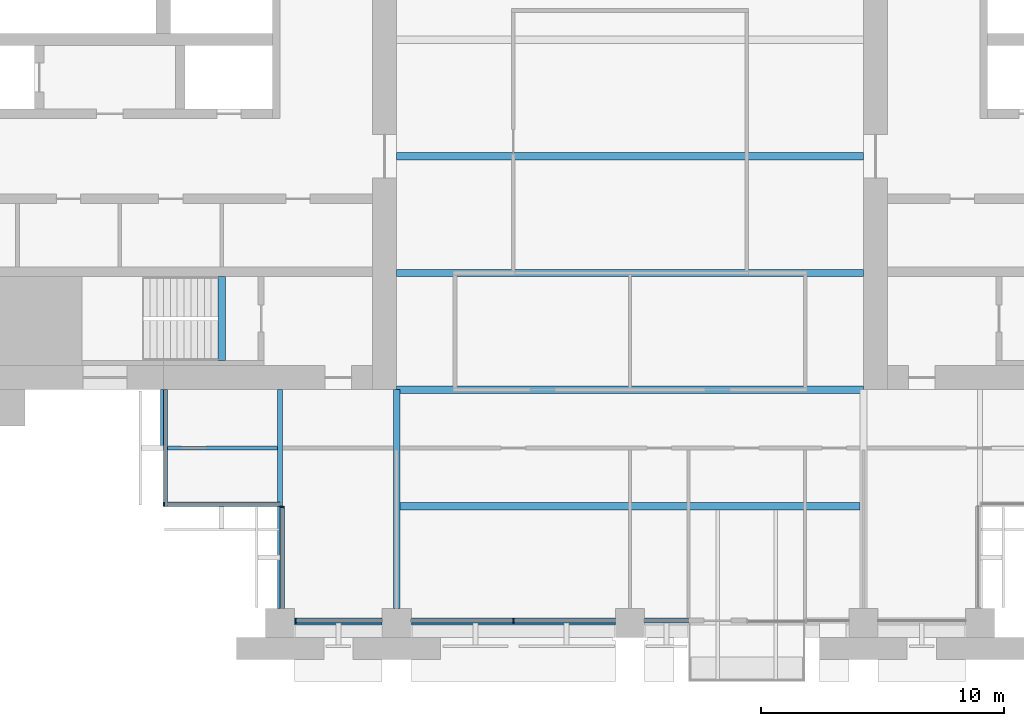
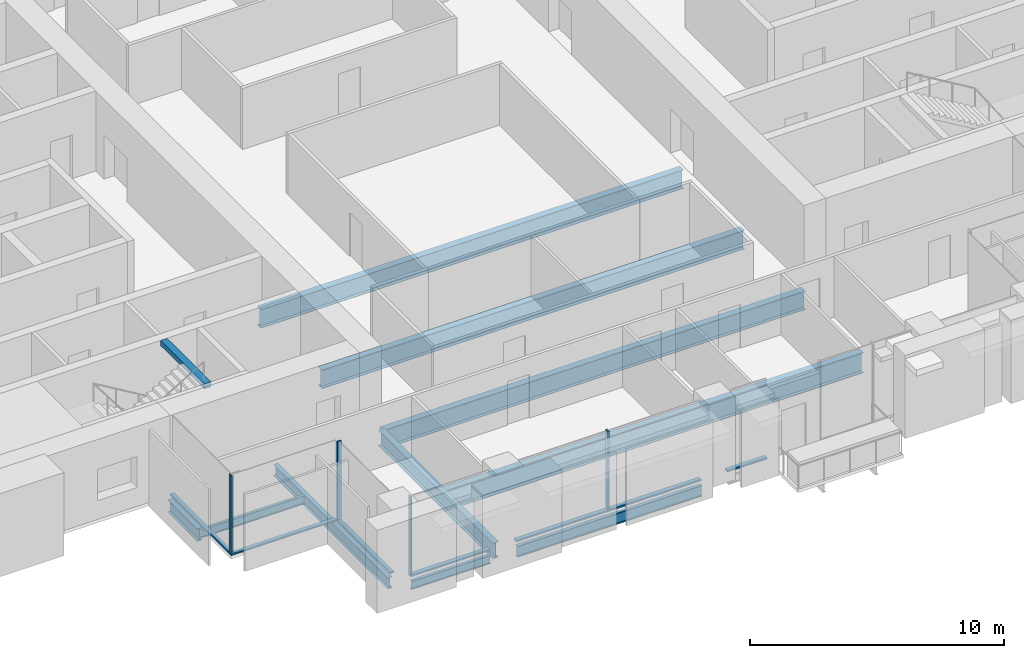
# One storey, part 2 of 15: 11 beams, 10 members, 4 elements without a shape of their own.
"""IFC4 building model written with IfcOpenShell, lengths in metres."""

import ifcopenshell
import ifcopenshell.guid

model = None  # the IFC model being written
_history = None  # IfcOwnerHistory: only IFC2X3 demands one
_inside = {}  # id of a spatial element -> (the spatial element, [elements in it])
_under = {}  # id of a project, library or spatial element -> (it, [spatial elements below it])
_declared = {}  # id of a project -> (the project, [libraries it declares])
_typed = {}  # id of a type object -> (the type object, [elements of that type])
_made_of = {}  # id of a material, layer set ... -> (it, [elements and type objects made of it])


def new_model(schema):
    """Start an empty IFC model of exactly this schema.

    Asked for "IFC4X3", IfcOpenShell would pick the latest addendum, in which some entities
    have other attributes; the version numbers below select the first issue.
    IFC2X3 requires an IfcOwnerHistory on every rooted entity: one is made here for all.
    """
    global model, _history
    if schema == "IFC4X3":
        model = ifcopenshell.file(schema_version=(4, 3, 0, 0))
    else:
        model = ifcopenshell.file(schema=schema)
    _inside.clear()
    _under.clear()
    _declared.clear()
    _typed.clear()
    _made_of.clear()
    _history = None
    if model.schema == "IFC2X3":
        org = make("IfcOrganization", Name="unknown")
        user = make(
            "IfcPersonAndOrganization",
            ThePerson=make("IfcPerson", FamilyName="unknown"),
            TheOrganization=org,
        )
        app = make(
            "IfcApplication",
            ApplicationDeveloper=org,
            Version="unknown",
            ApplicationFullName="unknown",
            ApplicationIdentifier="unknown",
        )
        _history = make(
            "IfcOwnerHistory",
            OwningUser=user,
            OwningApplication=app,
            ChangeAction="ADDED",
            CreationDate=0,
        )
    return model


def make(cls, **values):
    """One entity of the class cls with the attributes given. An attribute that is None is left unset."""
    return model.create_entity(
        cls, **{name: value for name, value in values.items() if value is not None}
    )


def rooted(cls, **values):
    """An entity with a GlobalId (a new one), such as an element, a storey or a relation."""
    return make(cls, GlobalId=ifcopenshell.guid.new(), OwnerHistory=_history, **values)


def si_unit(unit_type, name, prefix=None):
    """IfcSIUnit, for example si_unit("LENGTHUNIT", "METRE", prefix="MILLI")."""
    return make("IfcSIUnit", UnitType=unit_type, Prefix=prefix, Name=name)


def assignment(units):
    """IfcUnitAssignment: the units of a project."""
    return None if units is None else make("IfcUnitAssignment", Units=units)


def point(xyz):
    """IfcCartesianPoint."""
    return None if xyz is None else make("IfcCartesianPoint", Coordinates=xyz)


def direction(xyz):
    """IfcDirection."""
    return None if xyz is None else make("IfcDirection", DirectionRatios=xyz)


def frame(location, z_axis=None, x_axis=None):
    """IfcAxis2Placement3D, a coordinate frame: its origin and axes. An axis left out is left unset."""
    return make(
        "IfcAxis2Placement3D",
        Location=point(location),
        Axis=direction(z_axis),
        RefDirection=direction(x_axis),
    )


def frame_2d(location, x_axis=None):
    """IfcAxis2Placement2D, a coordinate frame in the plane: its origin and x axis."""
    return make(
        "IfcAxis2Placement2D", Location=point(location), RefDirection=direction(x_axis)
    )


def origin():
    """The frame at (0, 0, 0) with its axes left unset."""
    return frame((0.0, 0.0, 0.0))


def origin_2d():
    """The frame at (0, 0) in the plane with its x axis left unset."""
    return frame_2d((0.0, 0.0))


def place(relative_to, where):
    """IfcLocalPlacement: puts the frame where relative to a parent placement (None: the world)."""
    return make(
        "IfcLocalPlacement", PlacementRelTo=relative_to, RelativePlacement=where
    )


def context(
    kind, dimensions, precision=None, world=None, true_north=None, identifier=None
):
    """IfcGeometricRepresentationContext, for example the 3D "Model" context."""
    return make(
        "IfcGeometricRepresentationContext",
        ContextIdentifier=identifier,
        ContextType=kind,
        CoordinateSpaceDimension=dimensions,
        Precision=precision,
        WorldCoordinateSystem=world,
        TrueNorth=true_north,
    )


def subcontext(parent, identifier, kind, view, scale=None):
    """IfcGeometricRepresentationSubContext, for example "Body" below "Model"."""
    return make(
        "IfcGeometricRepresentationSubContext",
        ContextIdentifier=identifier,
        ContextType=kind,
        ParentContext=parent,
        TargetScale=scale,
        TargetView=view,
    )


def project(units=None, contexts=None):
    """IfcProject with its units and contexts."""
    return rooted(
        "IfcProject",
        Name="project",
        RepresentationContexts=contexts,
        UnitsInContext=assignment(units),
    )


def spatial(cls, under=None, at=None, **own):
    """A site, building, storey or space (cls), placed at a placement, below another one or the project."""
    s = rooted(cls, ObjectPlacement=at, **own)
    if under is not None:
        _under.setdefault(under.id(), (under, []))[1].append(s)
    return s


def profile(cls, at=None, kind="AREA", **sizes):
    """A parametric profile (cls). Its sizes go by their IFC names, for example OverallWidth=200.0."""
    return make(cls, ProfileType=kind, Position=at, **sizes)


def rectangle(**sizes):
    """IfcRectangleProfileDef."""
    return profile("IfcRectangleProfileDef", **sizes)


def i_section(**sizes):
    """IfcIShapeProfileDef."""
    return profile("IfcIShapeProfileDef", **sizes)


def extrude(swept, where, along, depth):
    """IfcExtrudedAreaSolid: the profile swept, set in the frame where, extruded along a direction by depth."""
    return make(
        "IfcExtrudedAreaSolid",
        SweptArea=swept,
        Position=where,
        ExtrudedDirection=direction(along),
        Depth=depth,
    )


def shape(context_of_items, identifier, shape_type, items):
    """IfcShapeRepresentation: the items that make up one representation, for example the "Body"."""
    return make(
        "IfcShapeRepresentation",
        ContextOfItems=context_of_items,
        RepresentationIdentifier=identifier,
        RepresentationType=shape_type,
        Items=items,
    )


def material(Name=None, Category=None):
    """IfcMaterial."""
    return make("IfcMaterial", Name=Name, Category=Category)


def material_profile(
    of_material, cross_section, Name=None, Category=None, Priority=None
):
    """IfcMaterialProfile: a cross section and its material."""
    return make(
        "IfcMaterialProfile",
        Name=Name,
        Material=of_material,
        Profile=cross_section,
        Priority=Priority,
        Category=Category,
    )


def profile_set(profiles, Name=None, composite=None):
    """IfcMaterialProfileSet."""
    return make(
        "IfcMaterialProfileSet",
        Name=Name,
        MaterialProfiles=profiles,
        CompositeProfile=composite,
    )


def made_of(thing, what):
    """Note that an element or type object is made of a material, layer set ...; save() writes the relation."""
    if what is not None:
        _made_of.setdefault(what.id(), (what, []))[1].append(thing)
    return thing


def type_object(cls, material=None, **own):
    """A type object (cls), such as IfcWallType, which elements share."""
    return made_of(rooted(cls, **own), material)


def element(
    cls,
    number,
    at=None,
    inside=None,
    cuts=None,
    type_object=None,
    material=None,
    context=None,
    identifier="Body",
    shape_type=None,
    held_by="IfcProductDefinitionShape",
    body=None,
    shapes=None,
    **own,
):
    """One element of the class cls, such as IfcWall. Its Tag is "e" and its number.

    at: its placement. inside: the storey or other place that contains it. cuts: it is an
    opening in that element (IfcRelVoidsElement). A single representation is given by context,
    identifier, shape_type and body (its items); several are given by shapes. held_by: the class
    of the entity that holds the representations. save() writes the other relations.
    """
    e = rooted(cls, Tag="e%d" % number, ObjectPlacement=at, **own)
    if body is not None:
        shapes = [shape(context, identifier, shape_type, body)]
    if shapes is not None:
        e.Representation = make(held_by, Representations=shapes)
    if inside is not None:
        _inside.setdefault(inside.id(), (inside, []))[1].append(e)
    if cuts is not None:
        rooted(
            "IfcRelVoidsElement", RelatingBuildingElement=cuts, RelatedOpeningElement=e
        )
    if type_object is not None:
        _typed.setdefault(type_object.id(), (type_object, []))[1].append(e)
    return made_of(e, material)


def aggregate(whole, parts):
    """IfcRelAggregates: a whole, such as a stair, and the parts it consists of."""
    return rooted("IfcRelAggregates", RelatingObject=whole, RelatedObjects=parts)


def save(model, path):
    """Write the relations noted so far, then the file.

    IfcRelAggregates (storeys below a building ...), IfcRelContainedInSpatialStructure (elements
    in a storey), IfcRelDefinesByType, IfcRelAssociatesMaterial and IfcRelDeclares: one each for
    every whole, place, type object, material and project.
    """
    for whole, parts in _under.values():
        aggregate(whole, parts)
    for where, things in _inside.values():
        rooted(
            "IfcRelContainedInSpatialStructure",
            RelatedElements=things,
            RelatingStructure=where,
        )
    for kind, things in _typed.values():
        rooted("IfcRelDefinesByType", RelatedObjects=things, RelatingType=kind)
    for what, things in _made_of.values():
        rooted("IfcRelAssociatesMaterial", RelatedObjects=things, RelatingMaterial=what)
    for by, libraries in _declared.values():
        rooted("IfcRelDeclares", RelatingContext=by, RelatedDefinitions=libraries)
    model.write(path)


model = new_model("IFC4")

# Units and contexts
model_context = context("Model", 3, precision=1e-05, world=origin(), true_north=direction((0.0, 1.0)))
body_context = subcontext(model_context, "Body", "Model", "MODEL_VIEW")
ifc_project = project(units=[si_unit("LENGTHUNIT", "METRE"), si_unit("AREAUNIT", "SQUARE_METRE"), si_unit("VOLUMEUNIT", "CUBIC_METRE"), si_unit("PLANEANGLEUNIT", "RADIAN"), si_unit("MASSUNIT", "GRAM", prefix="KILO")], contexts=[model_context])

# Site, building, storey
site_placement = place(None, origin())
site = spatial("IfcSite", under=ifc_project, at=site_placement, CompositionType="ELEMENT")
building_placement = place(site_placement, origin())
building = spatial("IfcBuilding", under=site, at=building_placement, Name="Baori Bourse Tower", CompositionType="ELEMENT")
storey_placement = place(building_placement, frame((0.0, 0.0, 140.10009765625)))
storey = spatial("IfcBuildingStorey", under=building, at=storey_placement, Name="L30", CompositionType="ELEMENT", Elevation=140.10009765625)

# Curtain wall, members
ifc_material_1 = material(Name="Pale anodised aluminium", Category="aluminium")
curtain_wall_type_1 = type_object("IfcCurtainWallType", Name="CW1 Curtain wall", PredefinedType="NOTDEFINED", material=ifc_material_1)
curtain_wall_1_placement = place(storey_placement, origin())
curtain_wall_1 = element("IfcCurtainWall", 1, at=curtain_wall_1_placement, inside=storey, type_object=curtain_wall_type_1, Name="Curtain wall CW1 L30 13", PredefinedType="NOTDEFINED")
ifc_material_2 = material(Name="Pale anodised aluminium", Category="aluminium")
ifc_material_profile_1 = material_profile(ifc_material_2, rectangle(XDim=0.199951171875, YDim=0.06005859375, at=origin_2d()), Name="Mullion 60x200")
ifc_profile_set_1 = profile_set([ifc_material_profile_1], Name="Pale anodised aluminium")
member_type_1 = type_object("IfcMemberType", Name="CW1 Curtain wall mullion", PredefinedType="MULLION", material=ifc_profile_set_1)
member_1_placement = place(storey_placement, frame((15.030029296875, 0.10009765625, 0.079833984375), z_axis=(0.0, 0.0, 1.0), x_axis=(0.0, 1.0, 0.0)))
member_1 = element("IfcMember", 2, at=member_1_placement, type_object=member_type_1, Name="Curtain wall CW1 mullion", PredefinedType="MULLION", context=body_context, shape_type="SweptSolid", body=[
    extrude(rectangle(XDim=0.199951171875, YDim=0.06005859375, at=origin_2d()), origin(), (0.0, 0.0, 1.0), 3.760009765625),
])
member_2_placement = place(storey_placement, frame((24.0, 0.10009765625, 0.079833984375), z_axis=(0.0, 0.0, 1.0), x_axis=(0.0, 1.0, 0.0)))
member_2 = element("IfcMember", 3, at=member_2_placement, type_object=member_type_1, Name="Curtain wall CW1 mullion", PredefinedType="MULLION", context=body_context, shape_type="SweptSolid", body=[
    extrude(rectangle(XDim=0.199951171875, YDim=0.06005859375, at=origin_2d()), origin(), (0.0, 0.0, 1.0), 3.760009765625),
])
ifc_material_3 = material(Name="Pale anodised aluminium", Category="aluminium")
ifc_material_profile_2 = material_profile(ifc_material_3, rectangle(XDim=0.199951171875, YDim=0.080078125, at=origin_2d()), Name="Transom 80x200")
ifc_profile_set_2 = profile_set([ifc_material_profile_2], Name="Pale anodised aluminium")
member_type_2 = type_object("IfcMemberType", Name="CW1 Curtain wall transom", PredefinedType="USERDEFINED", material=ifc_profile_set_2)
member_3_placement = place(storey_placement, frame((15.0, 0.10009765625, 0.039794921875), z_axis=(1.0, 0.0, 0.0), x_axis=(0.0, 1.0, 0.0)))
member_3 = element("IfcMember", 4, at=member_3_placement, type_object=member_type_2, Name="Curtain wall CW1 sill rail", ObjectType="TRANSOM", PredefinedType="USERDEFINED", context=body_context, shape_type="SweptSolid", body=[
    extrude(rectangle(XDim=0.199951171875, YDim=0.080078125, at=origin_2d()), origin(), (0.0, 0.0, 1.0), 3.60009765625),
])
member_4_placement = place(storey_placement, frame((19.800048828125, 0.10009765625, 0.039794921875), z_axis=(1.0, 0.0, 0.0), x_axis=(0.0, 1.0, 0.0)))
member_4 = element("IfcMember", 5, at=member_4_placement, type_object=member_type_2, Name="Curtain wall CW1 sill rail", ObjectType="TRANSOM", PredefinedType="USERDEFINED", context=body_context, shape_type="SweptSolid", body=[
    extrude(rectangle(XDim=0.199951171875, YDim=0.080078125, at=origin_2d()), origin(), (0.0, 0.0, 1.0), 8.39990234375),
])
member_5_placement = place(storey_placement, frame((29.39990234375, 0.10009765625, 0.039794921875), z_axis=(1.0, 0.0, 0.0), x_axis=(0.0, 1.0, 0.0)))
member_5 = element("IfcMember", 6, at=member_5_placement, type_object=member_type_2, Name="Curtain wall CW1 sill rail", ObjectType="TRANSOM", PredefinedType="USERDEFINED", context=body_context, shape_type="SweptSolid", body=[
    extrude(rectangle(XDim=0.199951171875, YDim=0.080078125, at=origin_2d()), origin(), (0.0, 0.0, 1.0), 1.800048828125),
])
aggregate(curtain_wall_1, [member_3, member_1, member_4, member_2, member_5])

# Curtain wall, member
ifc_material_4 = material(Name="Pale anodised aluminium", Category="aluminium")
curtain_wall_type_2 = type_object("IfcCurtainWallType", Name="CW2 Curtain wall", PredefinedType="NOTDEFINED", material=ifc_material_4)
curtain_wall_2_placement = place(storey_placement, origin())
curtain_wall_2 = element("IfcCurtainWall", 7, at=curtain_wall_2_placement, inside=storey, type_object=curtain_wall_type_2, Name="Curtain wall CW2 L30 11", PredefinedType="NOTDEFINED")
ifc_material_5 = material(Name="Pale anodised aluminium", Category="aluminium")
ifc_material_profile_3 = material_profile(ifc_material_5, rectangle(XDim=0.179931640625, YDim=0.054931640625, at=origin_2d()), Name="Mullion 55x180")
ifc_profile_set_3 = profile_set([ifc_material_profile_3], Name="Pale anodised aluminium")
member_type_3 = type_object("IfcMemberType", Name="CW2 Curtain wall mullion", PredefinedType="MULLION", material=ifc_profile_set_3)
member_6_placement = place(storey_placement, frame((9.62744140625, 4.889892578125, 0.06982421875), z_axis=(0.0, 0.0, 1.0), x_axis=(0.0, 1.0, 0.0)))
member_6 = element("IfcMember", 8, at=member_6_placement, type_object=member_type_3, Name="Curtain wall CW2 mullion", PredefinedType="MULLION", context=body_context, shape_type="SweptSolid", body=[
    extrude(rectangle(XDim=0.179931640625, YDim=0.054931640625, at=origin_2d()), origin(), (0.0, 0.0, 1.0), 3.77001953125),
])

curtain_wall_3_placement = place(storey_placement, origin())
curtain_wall_3 = element("IfcCurtainWall", 9, at=curtain_wall_3_placement, inside=storey, type_object=curtain_wall_type_2, Name="Curtain wall CW2 L30 12", PredefinedType="NOTDEFINED")
member_7_placement = place(storey_placement, frame((14.489990234375, 4.7724609375, 0.06982421875), z_axis=(0.0, 0.0, 1.0), x_axis=(1.0, 0.0, 0.0)))
member_7 = element("IfcMember", 10, at=member_7_placement, type_object=member_type_3, Name="Curtain wall CW2 mullion", PredefinedType="MULLION", context=body_context, shape_type="SweptSolid", body=[
    extrude(rectangle(XDim=0.179931640625, YDim=0.054931640625, at=origin_2d()), origin(), (0.0, 0.0, 1.0), 3.77001953125),
])

curtain_wall_4_placement = place(storey_placement, origin())
curtain_wall_4 = element("IfcCurtainWall", 11, at=curtain_wall_4_placement, inside=storey, type_object=curtain_wall_type_2, Name="Curtain wall CW2 L30 10", PredefinedType="NOTDEFINED")
ifc_material_6 = material(Name="Pale anodised aluminium", Category="aluminium")
ifc_material_profile_4 = material_profile(ifc_material_6, rectangle(XDim=0.179931640625, YDim=0.070068359375, at=origin_2d()), Name="Transom 70x180")
ifc_profile_set_4 = profile_set([ifc_material_profile_4], Name="Pale anodised aluminium")
member_type_4 = type_object("IfcMemberType", Name="CW2 Curtain wall transom", PredefinedType="USERDEFINED", material=ifc_profile_set_4)
member_8_placement = place(storey_placement, frame((9.68994140625, 9.60009765625, 0.034912109375), z_axis=(0.0, -1.0, 0.0), x_axis=(1.0, 0.0, 0.0)))
member_8 = element("IfcMember", 12, at=member_8_placement, type_object=member_type_4, Name="Curtain wall CW2 sill rail", ObjectType="TRANSOM", PredefinedType="USERDEFINED", context=body_context, shape_type="SweptSolid", body=[
    extrude(rectangle(XDim=0.179931640625, YDim=0.070068359375, at=origin_2d()), origin(), (0.0, 0.0, 1.0), 4.800048828125),
])
aggregate(curtain_wall_4, [member_8])

# Member
member_9_placement = place(storey_placement, frame((9.60009765625, 4.889892578125, 0.034912109375), z_axis=(1.0, 0.0, 0.0), x_axis=(0.0, 1.0, 0.0)))
member_9 = element("IfcMember", 13, at=member_9_placement, type_object=member_type_4, Name="Curtain wall CW2 sill rail", ObjectType="TRANSOM", PredefinedType="USERDEFINED", context=body_context, shape_type="SweptSolid", body=[
    extrude(rectangle(XDim=0.179931640625, YDim=0.070068359375, at=origin_2d()), origin(), (0.0, 0.0, 1.0), 4.7998046875),
])

aggregate(curtain_wall_2, [member_9, member_6])

member_10_placement = place(storey_placement, frame((14.489990234375, 4.800048828125, 0.034912109375), z_axis=(0.0, -1.0, 0.0), x_axis=(1.0, 0.0, 0.0)))
member_10 = element("IfcMember", 14, at=member_10_placement, type_object=member_type_4, Name="Curtain wall CW2 sill rail", ObjectType="TRANSOM", PredefinedType="USERDEFINED", context=body_context, shape_type="SweptSolid", body=[
    extrude(rectangle(XDim=0.179931640625, YDim=0.070068359375, at=origin_2d()), origin(), (0.0, 0.0, 1.0), 4.199951171875),
])

aggregate(curtain_wall_3, [member_10, member_7])

# Beams
ifc_material_7 = material(Name="Steel A992 Gr 50", Category="steel")
ifc_material_profile_5 = material_profile(ifc_material_7, i_section(OverallWidth=0.227783203125, OverallDepth=0.60205078125, WebThickness=0.010498046875, FlangeThickness=0.014892578125, at=origin_2d()), Name="W24x68")
ifc_profile_set_5 = profile_set([ifc_material_profile_5], Name="Steel A992 Gr 50")
beam_type_1 = type_object("IfcBeamType", Name="Core bracket W24x68", PredefinedType="BEAM", material=ifc_profile_set_5)
beam_1_placement = place(storey_placement, frame((9.60009765625, 7.270263671875, -0.461181640625), z_axis=(0.0, 1.0, 0.0), x_axis=(-1.0, 0.0, 0.0)))
element("IfcBeam", 15, at=beam_1_placement, inside=storey, type_object=beam_type_1, Name="Core bracket L30", PredefinedType="BEAM", context=body_context, shape_type="SweptSolid", body=[
    extrude(i_section(OverallWidth=0.227783203125, OverallDepth=0.60205078125, WebThickness=0.010498046875, FlangeThickness=0.014892578125, at=origin_2d()), origin(), (0.0, 0.0, 1.0), 2.329833984375),
])
ifc_material_8 = material(Name="Steel A992 Gr 50", Category="steel")
ifc_material_profile_6 = material_profile(ifc_material_8, i_section(OverallWidth=0.140380859375, OverallDepth=0.40380859375, WebThickness=0.007080078125, FlangeThickness=0.01123046875, at=origin_2d()), Name="W16x31")
ifc_profile_set_6 = profile_set([ifc_material_profile_6], Name="Steel A992 Gr 50")
beam_type_2 = type_object("IfcBeamType", Name="Edge beam W16x31", PredefinedType="BEAM", material=ifc_profile_set_6)
beam_2_placement = place(storey_placement, frame((15.0, 0.0, -0.362060546875), z_axis=(1.0, 0.0, 0.0), x_axis=(0.0, 1.0, 0.0)))
element("IfcBeam", 16, at=beam_2_placement, inside=storey, type_object=beam_type_2, Name="Edge beam L30", PredefinedType="BEAM", context=body_context, shape_type="SweptSolid", body=[
    extrude(i_section(OverallWidth=0.140380859375, OverallDepth=0.40380859375, WebThickness=0.007080078125, FlangeThickness=0.01123046875, at=origin_2d()), origin(), (0.0, 0.0, 1.0), 3.60009765625),
])
ifc_material_9 = material(Name="Steel A992 Gr 50", Category="steel")
ifc_material_profile_7 = material_profile(ifc_material_9, i_section(OverallWidth=0.1650390625, OverallDepth=0.52587890625, WebThickness=0.0087890625, FlangeThickness=0.011474609375, at=origin_2d()), Name="W21x44")
ifc_profile_set_7 = profile_set([ifc_material_profile_7], Name="Steel A992 Gr 50")
beam_type_3 = type_object("IfcBeamType", Name="Edge beam W21x44", PredefinedType="BEAM", material=ifc_profile_set_7)
beam_3_placement = place(storey_placement, frame((19.800048828125, 0.0, -0.423095703125), z_axis=(1.0, 0.0, 0.0), x_axis=(0.0, 1.0, 0.0)))
element("IfcBeam", 17, at=beam_3_placement, inside=storey, type_object=beam_type_3, Name="Edge beam L30", PredefinedType="BEAM", context=body_context, shape_type="SweptSolid", body=[
    extrude(i_section(OverallWidth=0.1650390625, OverallDepth=0.52587890625, WebThickness=0.0087890625, FlangeThickness=0.011474609375, at=origin_2d()), origin(), (0.0, 0.0, 1.0), 8.39990234375),
])
ifc_material_10 = material(Name="Steel A992 Gr 50", Category="steel")
ifc_material_profile_8 = material_profile(ifc_material_10, i_section(OverallWidth=0.209228515625, OverallDepth=0.533447265625, WebThickness=0.01025390625, FlangeThickness=0.015625, at=origin_2d()), Name="W21x62")
ifc_profile_set_8 = profile_set([ifc_material_profile_8], Name="Steel A992 Gr 50")
beam_type_4 = type_object("IfcBeamType", Name="Floor beam W21x62", PredefinedType="BEAM", material=ifc_profile_set_8)
beam_4_placement = place(storey_placement, frame((14.39990234375, 0.60009765625, -0.4267578125), z_axis=(0.0, 1.0, 0.0), x_axis=(-1.0, 0.0, 0.0)))
element("IfcBeam", 18, at=beam_4_placement, inside=storey, type_object=beam_type_4, Name="Floor beam L30", PredefinedType="BEAM", context=body_context, shape_type="SweptSolid", body=[
    extrude(i_section(OverallWidth=0.209228515625, OverallDepth=0.533447265625, WebThickness=0.01025390625, FlangeThickness=0.015625, at=origin_2d()), origin(), (0.0, 0.0, 1.0), 9.0),
])
ifc_material_11 = material(Name="Steel A992 Gr 50", Category="steel")
ifc_material_profile_9 = material_profile(ifc_material_11, i_section(OverallWidth=0.3046875, OverallDepth=0.904296875, WebThickness=0.01513671875, FlangeThickness=0.02001953125, at=origin_2d()), Name="W36x135")
ifc_profile_set_9 = profile_set([ifc_material_profile_9], Name="Steel A992 Gr 50")
beam_type_5 = type_object("IfcBeamType", Name="Floor beam W36x135", PredefinedType="BEAM", material=ifc_profile_set_9)
for number, where, z_axis, x_axis, name in (
    (19, (19.199951171875, 9.60009765625, -0.6123046875), (1.0, 0.0, 0.0), (0.0, 1.0, 0.0), "Floor beam L30"),
    (20, (19.199951171875, 14.39990234375, -0.6123046875), (1.0, 0.0, 0.0), (0.0, 1.0, 0.0), "Floor beam L30"),
    (21, (19.199951171875, 19.199951171875, -0.6123046875), (1.0, 0.0, 0.0), (0.0, 1.0, 0.0), "Floor beam L30"),
):
    element("IfcBeam", number, at=place(storey_placement, frame(where, z_axis=z_axis, x_axis=x_axis)), inside=storey, type_object=beam_type_5, Name=name, PredefinedType="BEAM", context=body_context, shape_type="SweptSolid", body=[
        extrude(i_section(OverallWidth=0.3046875, OverallDepth=0.904296875, WebThickness=0.01513671875, FlangeThickness=0.02001953125, at=origin_2d()), origin(), (0.0, 0.0, 1.0), 19.199951171875),
    ])
ifc_material_12 = material(Name="Steel A992 Gr 50", Category="steel")
ifc_material_profile_10 = material_profile(ifc_material_12, i_section(OverallWidth=0.2998046875, OverallDepth=0.990478515625, WebThickness=0.0166015625, FlangeThickness=0.030517578125, at=origin_2d()), Name="W40x183")
ifc_profile_set_10 = profile_set([ifc_material_profile_10], Name="Steel A992 Gr 50")
beam_type_6 = type_object("IfcBeamType", Name="Floor beam W40x183", PredefinedType="BEAM", material=ifc_profile_set_10)
beam_5_placement = place(storey_placement, frame((19.333251953125, 4.800048828125, -0.655517578125), z_axis=(1.0, 0.0, 0.0), x_axis=(0.0, 1.0, 0.0)))
element("IfcBeam", 22, at=beam_5_placement, inside=storey, type_object=beam_type_6, Name="Floor beam L30", PredefinedType="BEAM", context=body_context, shape_type="SweptSolid", body=[
    extrude(i_section(OverallWidth=0.2998046875, OverallDepth=0.990478515625, WebThickness=0.0166015625, FlangeThickness=0.030517578125, at=origin_2d()), origin(), (0.0, 0.0, 1.0), 18.920654296875),
])
ifc_material_13 = material(Name="Steel A992 Gr 50", Category="steel")
ifc_material_profile_11 = material_profile(ifc_material_13, i_section(OverallWidth=0.2666015625, OverallDepth=0.7568359375, WebThickness=0.013916015625, FlangeThickness=0.019287109375, at=origin_2d()), Name="W30x108")
ifc_profile_set_11 = profile_set([ifc_material_profile_11], Name="Steel A992 Gr 50")
beam_type_7 = type_object("IfcBeamType", Name="Girder W30x108", PredefinedType="BEAM", material=ifc_profile_set_11)
beam_6_placement = place(storey_placement, frame((19.199951171875, 0.60009765625, -0.53857421875), z_axis=(0.0, 1.0, 0.0), x_axis=(-1.0, 0.0, 0.0)))
element("IfcBeam", 23, at=beam_6_placement, inside=storey, type_object=beam_type_7, Name="Girder L30", PredefinedType="BEAM", context=body_context, shape_type="SweptSolid", body=[
    extrude(i_section(OverallWidth=0.2666015625, OverallDepth=0.7568359375, WebThickness=0.013916015625, FlangeThickness=0.019287109375, at=origin_2d()), origin(), (0.0, 0.0, 1.0), 9.0),
])
ifc_material_14 = material(Name="Concrete f'c 50 MPa", Category="concrete")
ifc_material_profile_12 = material_profile(ifc_material_14, rectangle(XDim=0.300048828125, YDim=0.25, at=origin_2d()), Name="RC 300x250")
ifc_profile_set_12 = profile_set([ifc_material_profile_12], Name="Concrete f'c 50 MPa")
beam_type_8 = type_object("IfcBeamType", Name="Stair nib beam RC 300x250", PredefinedType="BEAM", material=ifc_profile_set_12)
beam_7_placement = place(storey_placement, frame((12.0, 10.800048828125, 3.71484375), z_axis=(0.0, 1.0, 0.0), x_axis=(-1.0, 0.0, 0.0)))
element("IfcBeam", 24, at=beam_7_placement, inside=storey, type_object=beam_type_8, Name="Stair WA nib beam L31", PredefinedType="BEAM", context=body_context, shape_type="SweptSolid", body=[
    extrude(rectangle(XDim=0.300048828125, YDim=0.25, at=origin_2d()), origin(), (0.0, 0.0, 1.0), 3.449951171875),
])
ifc_material_15 = material(Name="Steel A992 Gr 50", Category="steel")
ifc_material_profile_13 = material_profile(ifc_material_15, i_section(OverallWidth=0.140380859375, OverallDepth=0.40380859375, WebThickness=0.007080078125, FlangeThickness=0.01123046875, at=origin_2d()), Name="W16x31")
ifc_profile_set_13 = profile_set([ifc_material_profile_13], Name="Steel A992 Gr 50")
beam_type_9 = type_object("IfcBeamType", Name="Trimmer beam W16x31", PredefinedType="BEAM", material=ifc_profile_set_13)
beam_8_placement = place(storey_placement, frame((9.60009765625, 7.199951171875, -0.362060546875), z_axis=(1.0, 0.0, 0.0), x_axis=(0.0, 1.0, 0.0)))
element("IfcBeam", 25, at=beam_8_placement, inside=storey, type_object=beam_type_9, Name="Trimmer beam L30", PredefinedType="BEAM", context=body_context, shape_type="SweptSolid", body=[
    extrude(i_section(OverallWidth=0.140380859375, OverallDepth=0.40380859375, WebThickness=0.007080078125, FlangeThickness=0.01123046875, at=origin_2d()), origin(), (0.0, 0.0, 1.0), 4.6953125),
])

save(model, "model.ifc")
